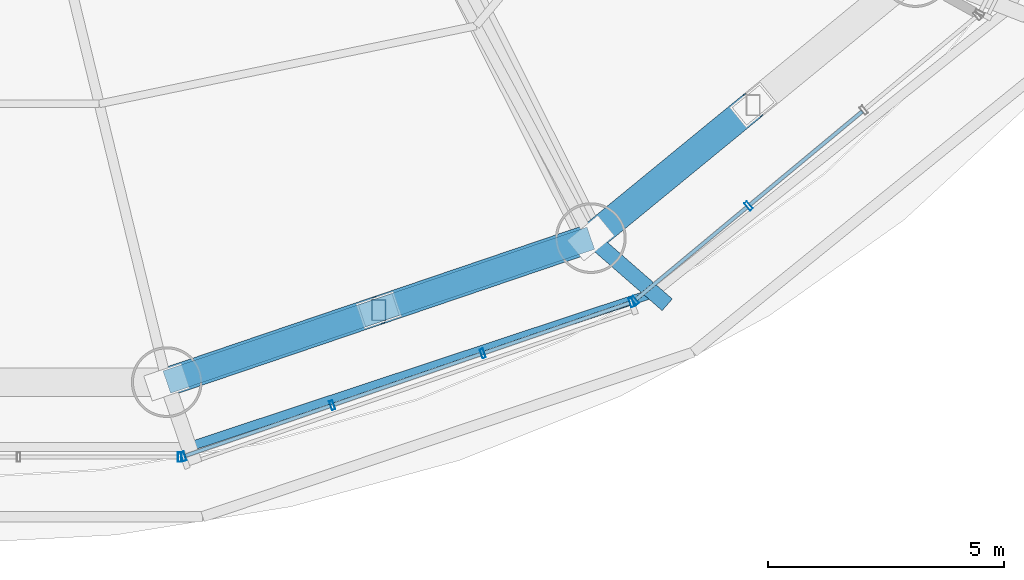
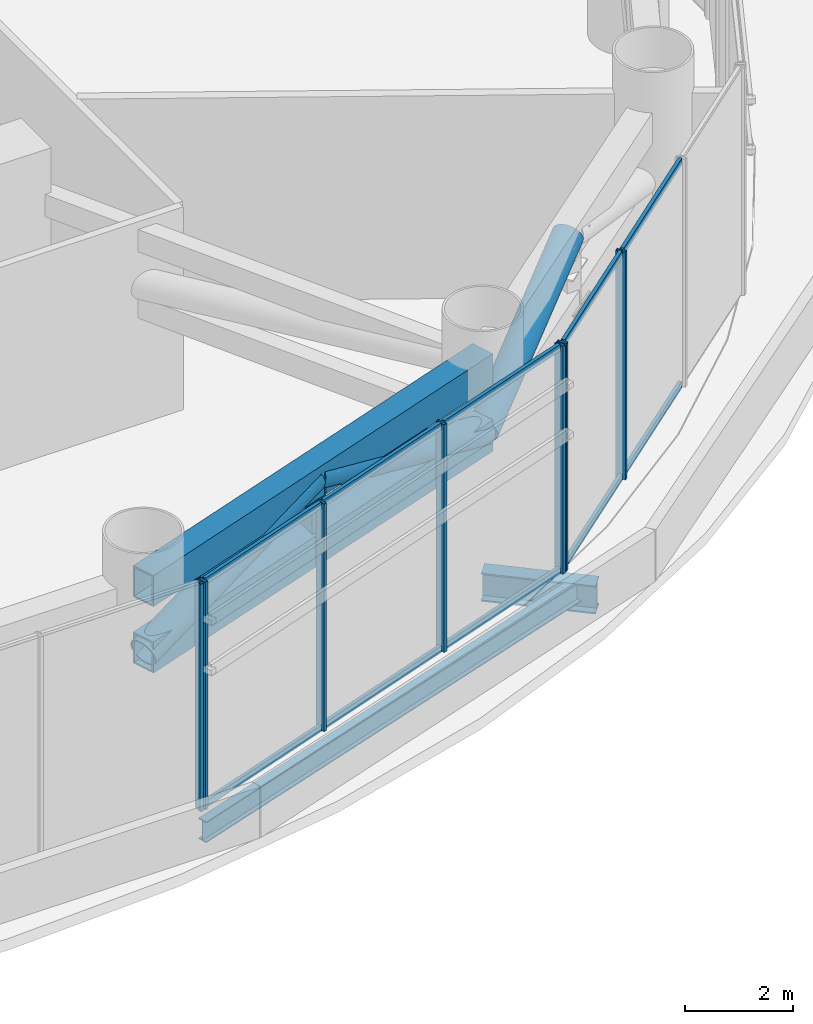
# One storey, part 12 of 33: 23 members, 2 beams, 3 elements without a shape of their own.
"""IFC4 building model written with IfcOpenShell, lengths in metres."""

from ifc_helpers import new_model, si_unit, direction, frame, origin, origin_2d, place, context, subcontext, project, spatial, hollow_rectangle, hollow_circle, i_section, extrude, source, transform, mapped, material, material_profile, profile_set, type_object, element, aggregate, save


model = new_model("IFC4")

# Units and contexts
model_context = context("Model", 3, precision=1e-05, world=origin(), true_north=direction((-0.2419218956, 0.970295726276)))
body_context = subcontext(model_context, "Body", "Model", "MODEL_VIEW")
ifc_project = project(units=[si_unit("LENGTHUNIT", "METRE"), si_unit("AREAUNIT", "SQUARE_METRE"), si_unit("VOLUMEUNIT", "CUBIC_METRE"), si_unit("PLANEANGLEUNIT", "RADIAN"), si_unit("MASSUNIT", "GRAM", prefix="KILO")], contexts=[model_context])

# Site, building, storey
site_placement = place(None, origin())
site = spatial("IfcSite", under=ifc_project, at=site_placement, CompositionType="ELEMENT")
building_placement = place(site_placement, origin())
building = spatial("IfcBuilding", under=site, at=building_placement, Name="Cobrevalo Terracotta Tower", CompositionType="ELEMENT")
storey_placement = place(building_placement, frame((0.0, 0.0, 74.39990234375)))
storey = spatial("IfcBuildingStorey", under=building, at=storey_placement, Name="L19", CompositionType="ELEMENT", Elevation=74.39990234375)

# Beams
ifc_material_1 = material(Name="Steel S355", Category="steel")
ifc_material_profile_1 = material_profile(ifc_material_1, i_section(OverallWidth=0.3291015625, OverallDepth=0.635009765625, WebThickness=0.017822265625, FlangeThickness=0.031005859375, at=origin_2d()), Name="W 610x241")
ifc_profile_set_1 = profile_set([ifc_material_profile_1], Name="Steel S355")
beam_type_1 = type_object("IfcBeamType", Name="Structural Beam W 610x241 (Steel S355)", PredefinedType="BEAM", material=ifc_profile_set_1)
beam_1_placement = place(storey_placement, frame((53.481201171875, 8.382568359375, -0.767333984375), z_axis=(-0.753349983787, 0.657619800438, 0.0), x_axis=(-0.657619800438, -0.753349983787, 0.0)))
element("IfcBeam", 1, at=beam_1_placement, inside=storey, type_object=beam_type_1, Name="L19 setback step-link girder 14", PredefinedType="BEAM", context=body_context, shape_type="SweptSolid", body=[
    extrude(i_section(OverallWidth=0.3291015625, OverallDepth=0.635009765625, WebThickness=0.017822265625, FlangeThickness=0.031005859375, at=origin_2d()), origin(), (0.0, 0.0, 1.0), 2.14990234375),
])
ifc_material_profile_2 = material_profile(ifc_material_1, i_section(OverallWidth=0.194091796875, OverallDepth=0.468994140625, WebThickness=0.011474609375, FlangeThickness=0.0205078125, at=origin_2d()), Name="W 460x106")
ifc_profile_set_2 = profile_set([ifc_material_profile_2], Name="Steel S355")
beam_type_2 = type_object("IfcBeamType", Name="Structural Spandrel W 460x106 (Steel S355)", PredefinedType="SPANDREL", material=ifc_profile_set_2)
beam_2_placement = place(storey_placement, frame((43.335693359375, 5.369873046875, -0.684326171875), z_axis=(0.949372202648, 0.314153498848, 0.0), x_axis=(-0.314153498848, 0.949372202648, 0.0)))
element("IfcBeam", 2, at=beam_2_placement, inside=storey, type_object=beam_type_2, Name="L19 perimeter ring spandrel 13", PredefinedType="SPANDREL", context=body_context, shape_type="SweptSolid", body=[
    extrude(i_section(OverallWidth=0.194091796875, OverallDepth=0.468994140625, WebThickness=0.011474609375, FlangeThickness=0.0205078125, at=origin_2d()), origin(), (0.0, 0.0, 1.0), 10.385009765625),
])

# Members
ifc_material_profile_3 = material_profile(ifc_material_1, hollow_rectangle(XDim=0.300048828125, YDim=0.449951171875, WallThickness=0.02001953125, at=origin_2d()), Name="RHS 450x300x20")
ifc_profile_set_3 = profile_set([ifc_material_profile_3], Name="Steel S355")
member_type_1 = type_object("IfcMemberType", Name="Steel Post RHS 450x300x20 (Steel S355)", PredefinedType="POST", material=ifc_profile_set_3)
shared_shape_1 = source(origin(), body_context, "Body", "SweptSolid", [
    extrude(hollow_rectangle(XDim=0.300048828125, YDim=0.449951171875, WallThickness=0.02001953125, at=origin_2d()), origin(), (0.0, 0.0, 1.0), 1.494873046875),
])
member_1_placement = place(storey_placement, frame((47.364501953125, 8.269775390625, 2.650146484375), z_axis=(0.0, 0.0, 1.0), x_axis=(1.0, 0.0, 0.0)))
element("IfcMember", 3, at=member_1_placement, inside=storey, type_object=member_type_1, Name="L19 belt truss post 13", PredefinedType="POST", context=body_context, shape_type="MappedRepresentation", body=[
    mapped(shared_shape_1, transform((0.0, 0.0, 0.0), scale=1.0)),
])
ifc_material_profile_4 = material_profile(ifc_material_1, hollow_circle(Radius=0.304931640625, WallThickness=0.02490234375, at=origin_2d()), Name="CHS 610x25")
ifc_profile_set_4 = profile_set([ifc_material_profile_4], Name="Steel S355")
member_type_2 = type_object("IfcMemberType", Name="Steel Brace CHS 610x25 (Steel S355)", PredefinedType="BRACE", material=ifc_profile_set_4)
shared_shape_2 = source(origin(), body_context, "Body", "SweptSolid", [
    extrude(hollow_circle(Radius=0.304931640625, WallThickness=0.02490234375, at=origin_2d()), origin(), (0.0, 0.0, 1.0), 4.6943359375),
])
member_2_placement = place(storey_placement, frame((51.861572265625, 9.79638671875, 2.650146484375), z_axis=(0.733131153085, 0.600931437461, 0.318433854745), x_axis=(-0.633930644629, 0.773389900245, 0.0)))
element("IfcMember", 4, at=member_2_placement, inside=storey, type_object=member_type_2, Name="L19 belt truss diagonal brace 14-D1", PredefinedType="BRACE", context=body_context, shape_type="MappedRepresentation", body=[
    mapped(shared_shape_2, transform((0.0, 0.0, 0.0), scale=1.0)),
])
ifc_material_profile_5 = material_profile(ifc_material_1, hollow_rectangle(XDim=0.5, YDim=0.699951171875, WallThickness=0.031982421875, at=origin_2d()), Name="RHS 700x500x32")
ifc_profile_set_5 = profile_set([ifc_material_profile_5], Name="Steel S355")
member_type_3 = type_object("IfcMemberType", Name="Steel Chord RHS 700x500x32 (Steel S355)", PredefinedType="CHORD", material=ifc_profile_set_5)
shared_shape_3 = source(origin(), body_context, "Body", "SweptSolid", [
    extrude(hollow_rectangle(XDim=0.5, YDim=0.699951171875, WallThickness=0.031982421875, at=origin_2d()), origin(), (0.0, 0.0, 1.0), 9.498291015625),
])
for number, where, z_axis, x_axis, name in (
    (5, (42.867431640625, 6.742919921875, 2.650146484375), (0.94691835344, 0.321474154356, 0.0), (-0.321474154356, 0.94691835344, 0.0), "L19 belt truss chord 13-BC"),
    (6, (42.867431640625, 6.742919921875, 4.14501953125), (0.94691835344, 0.321474154356, 0.0), (-0.321474154356, 0.94691835344, 0.0), "L19 belt truss chord 13-TC"),
):
    element("IfcMember", number, at=place(storey_placement, frame(where, z_axis=z_axis, x_axis=x_axis)), inside=storey, type_object=member_type_3, Name=name, PredefinedType="CHORD", context=body_context, shape_type="MappedRepresentation", body=[
        mapped(shared_shape_3, transform((0.0, 0.0, 0.0), scale=1.0)),
    ])
shared_shape_4 = source(origin(), body_context, "Body", "SweptSolid", [
    extrude(hollow_circle(Radius=0.304931640625, WallThickness=0.02490234375, at=origin_2d()), origin(), (0.0, 0.0, 1.0), 4.97900390625),
])
member_3_placement = place(storey_placement, frame((42.867431640625, 6.742919921875, 2.650146484375), z_axis=(0.903223320473, 0.30666442162, 0.300240846431), x_axis=(-0.32149720126, 0.946910528816, 0.0)))
element("IfcMember", 7, at=member_3_placement, inside=storey, type_object=member_type_2, Name="L19 belt truss diagonal brace 13-D1", PredefinedType="BRACE", context=body_context, shape_type="MappedRepresentation", body=[
    mapped(shared_shape_4, transform((0.0, 0.0, 0.0), scale=1.0)),
])
shared_shape_5 = source(origin(), body_context, "Body", "SweptSolid", [
    extrude(hollow_circle(Radius=0.304931640625, WallThickness=0.02490234375, at=origin_2d()), origin(), (0.0, 0.0, 1.0), 4.978759765625),
])
member_4_placement = place(storey_placement, frame((51.861572265625, 9.79638671875, 2.650146484375), z_axis=(-0.903236901704, -0.306619997088, 0.300245360974), x_axis=(0.32145110688, -0.946926177632, 0.0)))
element("IfcMember", 8, at=member_4_placement, inside=storey, type_object=member_type_2, Name="L19 belt truss diagonal brace 13-D2", PredefinedType="BRACE", context=body_context, shape_type="MappedRepresentation", body=[
    mapped(shared_shape_5, transform((0.0, 0.0, 0.0), scale=1.0)),
])

# Curtain wall, member
ifc_material_2 = material(Name="Anodized aluminium", Category="aluminium")
curtain_wall_type = type_object("IfcCurtainWallType", Name="Belt-truss plant acoustic weather-louvre curtain wall CW-LV", PredefinedType="NOTDEFINED", material=ifc_material_2)
curtain_wall_1_placement = place(storey_placement, origin())
curtain_wall_1 = element("IfcCurtainWall", 9, at=curtain_wall_1_placement, inside=storey, type_object=curtain_wall_type, Name="L19 curtain wall CW-LV-L19-S12", PredefinedType="NOTDEFINED")
ifc_material_profile_6 = material_profile(ifc_material_2, hollow_rectangle(XDim=0.074951171875, YDim=0.199951171875, WallThickness=0.0048828125, at=origin_2d()), Name="CWM 75x200")
ifc_profile_set_6 = profile_set([ifc_material_profile_6], Name="Anodized aluminium")
member_type_4 = type_object("IfcMemberType", Name="Lower/mid tower unitised mullion 75x200", PredefinedType="MULLION", material=ifc_profile_set_6)
shared_shape_6 = source(origin(), body_context, "Body", "SweptSolid", [
    extrude(hollow_rectangle(XDim=0.074951171875, YDim=0.199951171875, WallThickness=0.0048828125, at=origin_2d()), origin(), (0.0, 0.0, 1.0), 5.125),
])
member_5_placement = place(storey_placement, frame((43.1435546875, 5.154052734375, 0.0), z_axis=(0.0, 0.0, 1.0), x_axis=(1.0, 0.0, 0.0)))
member_5 = element("IfcMember", 10, at=member_5_placement, type_object=member_type_4, Name="CW-LV-L19-S12 vertical mullion 04", PredefinedType="MULLION", context=body_context, shape_type="MappedRepresentation", body=[
    mapped(shared_shape_6, transform((0.0, 0.0, 0.0), scale=1.0)),
])
aggregate(curtain_wall_1, [member_5])

# Curtain wall, members
curtain_wall_2_placement = place(storey_placement, origin())
curtain_wall_2 = element("IfcCurtainWall", 11, at=curtain_wall_2_placement, inside=storey, type_object=curtain_wall_type, Name="L19 curtain wall CW-LV-L19-S13", PredefinedType="NOTDEFINED")
member_6_placement = place(storey_placement, frame((43.221435546875, 5.1669921875, 0.0), z_axis=(0.0, 0.0, 1.0), x_axis=(0.94559809868, 0.325337110968, 0.0)))
member_6 = element("IfcMember", 12, at=member_6_placement, type_object=member_type_4, Name="CW-LV-L19-S13 vertical mullion 01", PredefinedType="MULLION", context=body_context, shape_type="MappedRepresentation", body=[
    mapped(shared_shape_6, transform((0.0, 0.0, 0.0), scale=1.0)),
])
member_7_placement = place(storey_placement, frame((46.376220703125, 6.25244140625, 0.0), z_axis=(0.0, 0.0, 1.0), x_axis=(0.94559809868, 0.325337110968, 0.0)))
member_7 = element("IfcMember", 13, at=member_7_placement, type_object=member_type_4, Name="CW-LV-L19-S13 vertical mullion 02", PredefinedType="MULLION", context=body_context, shape_type="MappedRepresentation", body=[
    mapped(shared_shape_6, transform((0.0, 0.0, 0.0), scale=1.0)),
])
member_8_placement = place(storey_placement, frame((49.56884765625, 7.35107421875, 0.0), z_axis=(0.0, 0.0, 1.0), x_axis=(0.94559809868, 0.325337110968, 0.0)))
member_8 = element("IfcMember", 14, at=member_8_placement, type_object=member_type_4, Name="CW-LV-L19-S13 vertical mullion 03", PredefinedType="MULLION", context=body_context, shape_type="MappedRepresentation", body=[
    mapped(shared_shape_6, transform((0.0, 0.0, 0.0), scale=1.0)),
])
member_9_placement = place(storey_placement, frame((52.7236328125, 8.4365234375, 0.0), z_axis=(0.0, 0.0, 1.0), x_axis=(0.94559809868, 0.325337110968, 0.0)))
member_9 = element("IfcMember", 15, at=member_9_placement, type_object=member_type_4, Name="CW-LV-L19-S13 vertical mullion 04", PredefinedType="MULLION", context=body_context, shape_type="MappedRepresentation", body=[
    mapped(shared_shape_6, transform((0.0, 0.0, 0.0), scale=1.0)),
])

curtain_wall_3_placement = place(storey_placement, origin())
curtain_wall_3 = element("IfcCurtainWall", 16, at=curtain_wall_3_placement, inside=storey, type_object=curtain_wall_type, Name="L19 curtain wall CW-LV-L19-S14", PredefinedType="NOTDEFINED")
member_10_placement = place(storey_placement, frame((52.792236328125, 8.47509765625, 0.0), z_axis=(0.0, 0.0, 1.0), x_axis=(0.769243451658, 0.638955798222, 0.0)))
member_10 = element("IfcMember", 17, at=member_10_placement, type_object=member_type_4, Name="CW-LV-L19-S14 vertical mullion 01", PredefinedType="MULLION", context=body_context, shape_type="MappedRepresentation", body=[
    mapped(shared_shape_6, transform((0.0, 0.0, 0.0), scale=1.0)),
])
member_11_placement = place(storey_placement, frame((55.205078125, 10.479248046875, 0.0), z_axis=(0.0, 0.0, 1.0), x_axis=(0.769243451658, 0.638955798222, 0.0)))
member_11 = element("IfcMember", 18, at=member_11_placement, type_object=member_type_4, Name="CW-LV-L19-S14 vertical mullion 02", PredefinedType="MULLION", context=body_context, shape_type="MappedRepresentation", body=[
    mapped(shared_shape_6, transform((0.0, 0.0, 0.0), scale=1.0)),
])
ifc_material_profile_7 = material_profile(ifc_material_2, hollow_rectangle(XDim=0.074951171875, YDim=0.14990234375, WallThickness=0.00439453125, at=origin_2d()), Name="CWT 75x150")
ifc_profile_set_7 = profile_set([ifc_material_profile_7], Name="Anodized aluminium")
member_type_5 = type_object("IfcMemberType", Name="Tower unitised aluminium transom 75x150", PredefinedType="USERDEFINED", material=ifc_profile_set_7)
shared_shape_7 = source(origin(), body_context, "Body", "SweptSolid", [
    extrude(hollow_rectangle(XDim=0.074951171875, YDim=0.14990234375, WallThickness=0.00439453125, at=origin_2d()), origin(), (0.0, 0.0, 1.0), 3.0966796875),
])
member_12_placement = place(storey_placement, frame((55.23583984375, 10.504638671875, 0.050048828125), z_axis=(0.76922196912, 0.638981660318, 0.0), x_axis=(-0.638981660318, 0.76922196912, 0.0)))
member_12 = element("IfcMember", 19, at=member_12_placement, type_object=member_type_5, Name="CW-LV-L19-S14 transom B02-T1", ObjectType="TRANSOM", PredefinedType="USERDEFINED", context=body_context, shape_type="MappedRepresentation", body=[
    mapped(shared_shape_7, transform((0.0, 0.0, 0.0), scale=1.0)),
])
member_13_placement = place(storey_placement, frame((55.23583984375, 10.504638671875, 5.0751953125), z_axis=(0.76922196912, 0.638981660318, 0.0), x_axis=(-0.638981660318, 0.76922196912, 0.0)))
member_13 = element("IfcMember", 20, at=member_13_placement, type_object=member_type_5, Name="CW-LV-L19-S14 transom B02-T2", ObjectType="TRANSOM", PredefinedType="USERDEFINED", context=body_context, shape_type="MappedRepresentation", body=[
    mapped(shared_shape_7, transform((0.0, 0.0, 0.0), scale=1.0)),
])
shared_shape_8 = source(origin(), body_context, "Body", "SweptSolid", [
    extrude(hollow_rectangle(XDim=0.074951171875, YDim=0.14990234375, WallThickness=0.00439453125, at=origin_2d()), origin(), (0.0, 0.0, 1.0), 3.056640625),
])
member_14_placement = place(storey_placement, frame((52.822998046875, 8.50048828125, 0.050048828125), z_axis=(0.769235065676, 0.638965894031, 0.0), x_axis=(-0.638965894031, 0.769235065676, 0.0)))
member_14 = element("IfcMember", 21, at=member_14_placement, type_object=member_type_5, Name="CW-LV-L19-S14 transom B01-T1", ObjectType="TRANSOM", PredefinedType="USERDEFINED", context=body_context, shape_type="MappedRepresentation", body=[
    mapped(shared_shape_8, transform((0.0, 0.0, 0.0), scale=1.0)),
])
member_15_placement = place(storey_placement, frame((52.822998046875, 8.50048828125, 5.0751953125), z_axis=(0.769235065676, 0.638965894031, 0.0), x_axis=(-0.638965894031, 0.769235065676, 0.0)))
member_15 = element("IfcMember", 22, at=member_15_placement, type_object=member_type_5, Name="CW-LV-L19-S14 transom B01-T2", ObjectType="TRANSOM", PredefinedType="USERDEFINED", context=body_context, shape_type="MappedRepresentation", body=[
    mapped(shared_shape_8, transform((0.0, 0.0, 0.0), scale=1.0)),
])
aggregate(curtain_wall_3, [member_10, member_11, member_14, member_15, member_12, member_13])

# Member
shared_shape_9 = source(origin(), body_context, "Body", "SweptSolid", [
    extrude(hollow_rectangle(XDim=0.074951171875, YDim=0.14990234375, WallThickness=0.00439453125, at=origin_2d()), origin(), (0.0, 0.0, 1.0), 3.25634765625),
])
member_16_placement = place(storey_placement, frame((43.25927734375, 5.18017578125, 0.050048828125), z_axis=(0.945603013523, 0.325322825537, 0.0), x_axis=(-0.325322825537, 0.945603013523, 0.0)))
member_16 = element("IfcMember", 23, at=member_16_placement, type_object=member_type_5, Name="CW-LV-L19-S13 transom B01-T1", ObjectType="TRANSOM", PredefinedType="USERDEFINED", context=body_context, shape_type="MappedRepresentation", body=[
    mapped(shared_shape_9, transform((0.0, 0.0, 0.0), scale=1.0)),
])

member_17_placement = place(storey_placement, frame((43.25927734375, 5.18017578125, 5.0751953125), z_axis=(0.945603013523, 0.325322825537, 0.0), x_axis=(-0.325322825537, 0.945603013523, 0.0)))
member_17 = element("IfcMember", 24, at=member_17_placement, type_object=member_type_5, Name="CW-LV-L19-S13 transom B01-T2", ObjectType="TRANSOM", PredefinedType="USERDEFINED", context=body_context, shape_type="MappedRepresentation", body=[
    mapped(shared_shape_9, transform((0.0, 0.0, 0.0), scale=1.0)),
])

member_18_placement = place(storey_placement, frame((49.606689453125, 7.364013671875, 0.050048828125), z_axis=(0.945603013523, 0.325322825537, 0.0), x_axis=(-0.325322825537, 0.945603013523, 0.0)))
member_18 = element("IfcMember", 25, at=member_18_placement, type_object=member_type_5, Name="CW-LV-L19-S13 transom B03-T1", ObjectType="TRANSOM", PredefinedType="USERDEFINED", context=body_context, shape_type="MappedRepresentation", body=[
    mapped(shared_shape_9, transform((0.0, 0.0, 0.0), scale=1.0)),
])

member_19_placement = place(storey_placement, frame((49.606689453125, 7.364013671875, 5.0751953125), z_axis=(0.945603013523, 0.325322825537, 0.0), x_axis=(-0.325322825537, 0.945603013523, 0.0)))
member_19 = element("IfcMember", 26, at=member_19_placement, type_object=member_type_5, Name="CW-LV-L19-S13 transom B03-T2", ObjectType="TRANSOM", PredefinedType="USERDEFINED", context=body_context, shape_type="MappedRepresentation", body=[
    mapped(shared_shape_9, transform((0.0, 0.0, 0.0), scale=1.0)),
])

shared_shape_10 = source(origin(), body_context, "Body", "SweptSolid", [
    extrude(hollow_rectangle(XDim=0.074951171875, YDim=0.14990234375, WallThickness=0.00439453125, at=origin_2d()), origin(), (0.0, 0.0, 1.0), 3.296142578125),
])
member_20_placement = place(storey_placement, frame((46.4140625, 6.265625, 0.050048828125), z_axis=(0.94561043661, 0.325301248343, 0.0), x_axis=(-0.325301248343, 0.94561043661, 0.0)))
member_20 = element("IfcMember", 27, at=member_20_placement, type_object=member_type_5, Name="CW-LV-L19-S13 transom B02-T1", ObjectType="TRANSOM", PredefinedType="USERDEFINED", context=body_context, shape_type="MappedRepresentation", body=[
    mapped(shared_shape_10, transform((0.0, 0.0, 0.0), scale=1.0)),
])

member_21_placement = place(storey_placement, frame((46.4140625, 6.265625, 5.0751953125), z_axis=(0.94561043661, 0.325301248343, 0.0), x_axis=(-0.325301248343, 0.94561043661, 0.0)))
member_21 = element("IfcMember", 28, at=member_21_placement, type_object=member_type_5, Name="CW-LV-L19-S13 transom B02-T2", ObjectType="TRANSOM", PredefinedType="USERDEFINED", context=body_context, shape_type="MappedRepresentation", body=[
    mapped(shared_shape_10, transform((0.0, 0.0, 0.0), scale=1.0)),
])

aggregate(curtain_wall_2, [member_6, member_7, member_8, member_9, member_16, member_17, member_20, member_21, member_18, member_19])

save(model, "model.ifc")
